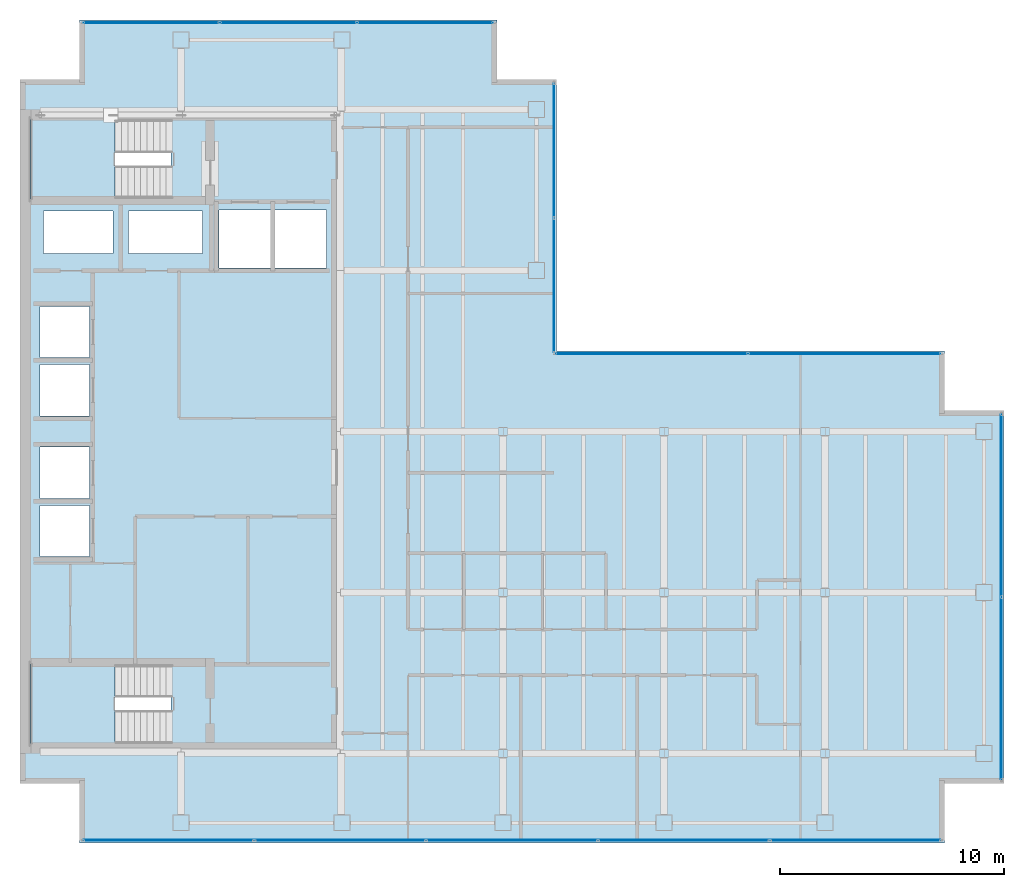
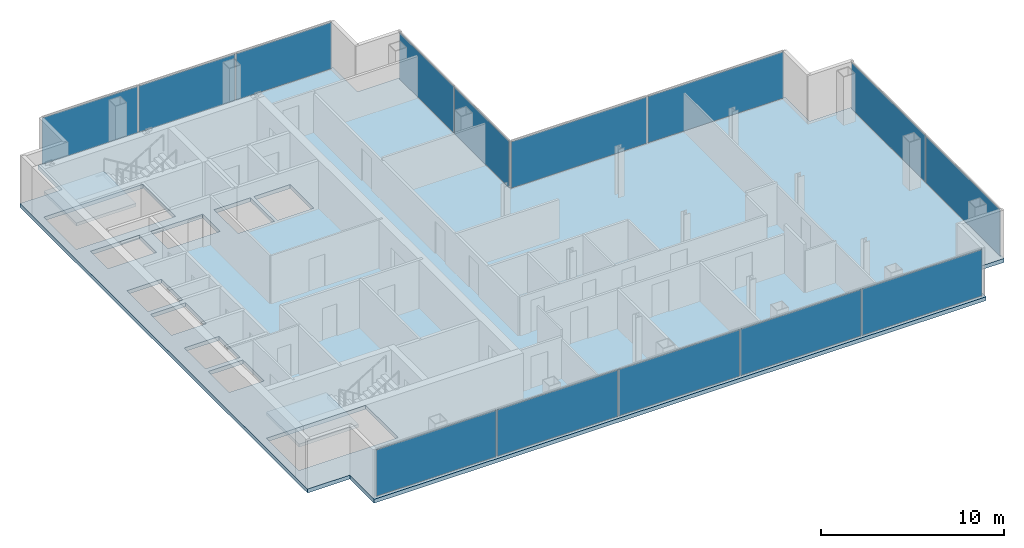
# One storey, part 19 of 23: 14 plates, 3 slabs, 10 openings, 7 elements without a shape of their own.
"""IFC4 building model written with IfcOpenShell, lengths in metres."""

from ifc_helpers import new_model, si_unit, direction, frame, origin, origin_2d, place, context, subcontext, project, spatial, polyline, rectangle, outline, extrude, material, layer, layer_set, type_object, element, aggregate, save


model = new_model("IFC4")

# Units and contexts
model_context = context("Model", 3, precision=1e-05, world=origin(), true_north=direction((0.0, 1.0)))
body_context = subcontext(model_context, "Body", "Model", "MODEL_VIEW")
ifc_project = project(units=[si_unit("LENGTHUNIT", "METRE"), si_unit("AREAUNIT", "SQUARE_METRE"), si_unit("VOLUMEUNIT", "CUBIC_METRE"), si_unit("PLANEANGLEUNIT", "RADIAN"), si_unit("MASSUNIT", "GRAM", prefix="KILO")], contexts=[model_context])

# Site, building, storey
site_placement = place(None, origin())
site = spatial("IfcSite", under=ifc_project, at=site_placement, CompositionType="ELEMENT")
building_placement = place(site_placement, origin())
building = spatial("IfcBuilding", under=site, at=building_placement, Name="Cobrela Telecom Tower", CompositionType="ELEMENT")
storey_placement = place(building_placement, frame((0.0, 0.0, 222.25)))
storey = spatial("IfcBuildingStorey", under=building, at=storey_placement, Name="L57", CompositionType="ELEMENT", Elevation=222.25)

# Curtain wall, plates
ifc_material_1 = material(Name="Anodized Bronze Aluminium 6063-T6", Category="aluminium")
curtain_wall_type = type_object("IfcCurtainWallType", Name="CW-SYS-OFF-LO", PredefinedType="USERDEFINED", material=ifc_material_1)
curtain_wall_1_placement = place(storey_placement, origin())
curtain_wall_1 = element("IfcCurtainWall", 1, at=curtain_wall_1_placement, inside=storey, type_object=curtain_wall_type, Name="L57 Unitised Bronze Curtain Wall 07", ObjectType="UNITISED CURTAIN WALL", PredefinedType="USERDEFINED")
ifc_material_2 = material(Name="Solar-Control Bronze Low-E Glass", Category="glass")
ifc_layer_1 = layer(ifc_material_2, 0.031982421875)
ifc_layer_set_1 = layer_set([ifc_layer_1], Name="Solar-Control Bronze Low-E Glass")
plate_type = type_object("IfcPlateType", Name="CW-SYS-OFF-LO-PNL", PredefinedType="CURTAIN_PANEL", material=ifc_layer_set_1)
plate_1_placement = place(storey_placement, frame((5.87744140625, 39.8798828125, 0.070068359375), z_axis=(0.0, 0.0, 1.0), x_axis=(1.0, 0.0, 0.0)))
plate_1 = element("IfcPlate", 2, at=plate_1_placement, type_object=plate_type, Name="CW-OFF-LO panel 1.1", PredefinedType="CURTAIN_PANEL", context=body_context, shape_type="SweptSolid", body=[
    extrude(rectangle(XDim=6.034912109375, YDim=0.031982421875, at=origin_2d()), origin(), (0.0, 0.0, 1.0), 3.10009765625),
])
plate_2_placement = place(storey_placement, frame((12.0, 39.8798828125, 0.070068359375), z_axis=(0.0, 0.0, 1.0), x_axis=(1.0, 0.0, 0.0)))
plate_2 = element("IfcPlate", 3, at=plate_2_placement, type_object=plate_type, Name="CW-OFF-LO panel 2.1", PredefinedType="CURTAIN_PANEL", context=body_context, shape_type="SweptSolid", body=[
    extrude(rectangle(XDim=6.070068359375, YDim=0.031982421875, at=origin_2d()), origin(), (0.0, 0.0, 1.0), 3.10009765625),
])
plate_3_placement = place(storey_placement, frame((18.12255859375, 39.8798828125, 0.070068359375), z_axis=(0.0, 0.0, 1.0), x_axis=(1.0, 0.0, 0.0)))
plate_3 = element("IfcPlate", 4, at=plate_3_placement, type_object=plate_type, Name="CW-OFF-LO panel 3.1", PredefinedType="CURTAIN_PANEL", context=body_context, shape_type="SweptSolid", body=[
    extrude(rectangle(XDim=6.034912109375, YDim=0.031982421875, at=origin_2d()), origin(), (0.0, 0.0, 1.0), 3.10009765625),
])
aggregate(curtain_wall_1, [plate_1, plate_2, plate_3])

curtain_wall_2_placement = place(storey_placement, origin())
curtain_wall_2 = element("IfcCurtainWall", 5, at=curtain_wall_2_placement, inside=storey, type_object=curtain_wall_type, Name="L57 Unitised Bronze Curtain Wall 10", ObjectType="UNITISED CURTAIN WALL", PredefinedType="USERDEFINED")
plate_4_placement = place(storey_placement, frame((23.8798828125, 34.159912109375, 0.070068359375), z_axis=(0.0, 0.0, 1.0), x_axis=(0.0, -1.0, 0.0)))
plate_4 = element("IfcPlate", 6, at=plate_4_placement, type_object=plate_type, Name="CW-OFF-LO panel 1.1", PredefinedType="CURTAIN_PANEL", context=body_context, shape_type="SweptSolid", body=[
    extrude(rectangle(XDim=5.9599609375, YDim=0.031982421875, at=origin_2d()), origin(), (0.0, 0.0, 1.0), 3.10009765625),
])
plate_5_placement = place(storey_placement, frame((23.8798828125, 28.1298828125, 0.070068359375), z_axis=(0.0, 0.0, 1.0), x_axis=(0.0, -1.0, 0.0)))
plate_5 = element("IfcPlate", 7, at=plate_5_placement, type_object=plate_type, Name="CW-OFF-LO panel 2.1", PredefinedType="CURTAIN_PANEL", context=body_context, shape_type="SweptSolid", body=[
    extrude(rectangle(XDim=5.9599609375, YDim=0.031982421875, at=origin_2d()), origin(), (0.0, 0.0, 1.0), 3.10009765625),
])
aggregate(curtain_wall_2, [plate_4, plate_5])

curtain_wall_3_placement = place(storey_placement, origin())
curtain_wall_3 = element("IfcCurtainWall", 8, at=curtain_wall_3_placement, inside=storey, type_object=curtain_wall_type, Name="L57 Unitised Bronze Curtain Wall 11", ObjectType="UNITISED CURTAIN WALL", PredefinedType="USERDEFINED")
plate_6_placement = place(storey_placement, frame((28.22998046875, 25.080078125, 0.070068359375), z_axis=(0.0, 0.0, 1.0), x_axis=(1.0, 0.0, 0.0)))
plate_6 = element("IfcPlate", 9, at=plate_6_placement, type_object=plate_type, Name="CW-OFF-LO panel 1.1", PredefinedType="CURTAIN_PANEL", context=body_context, shape_type="SweptSolid", body=[
    extrude(rectangle(XDim=8.56005859375, YDim=0.031982421875, at=origin_2d()), origin(), (0.0, 0.0, 1.0), 3.10009765625),
])
plate_7_placement = place(storey_placement, frame((36.860107421875, 25.080078125, 0.070068359375), z_axis=(0.0, 0.0, 1.0), x_axis=(1.0, 0.0, 0.0)))
plate_7 = element("IfcPlate", 10, at=plate_7_placement, type_object=plate_type, Name="CW-OFF-LO panel 2.1", PredefinedType="CURTAIN_PANEL", context=body_context, shape_type="SweptSolid", body=[
    extrude(rectangle(XDim=8.56005859375, YDim=0.031982421875, at=origin_2d()), origin(), (0.0, 0.0, 1.0), 3.10009765625),
])
aggregate(curtain_wall_3, [plate_6, plate_7])

curtain_wall_4_placement = place(storey_placement, origin())
curtain_wall_4 = element("IfcCurtainWall", 11, at=curtain_wall_4_placement, inside=storey, type_object=curtain_wall_type, Name="L57 Unitised Bronze Curtain Wall 14", ObjectType="UNITISED CURTAIN WALL", PredefinedType="USERDEFINED")
plate_8_placement = place(storey_placement, frame((43.8798828125, 18.28759765625, 0.070068359375), z_axis=(0.0, 0.0, 1.0), x_axis=(0.0, -1.0, 0.0)))
plate_8 = element("IfcPlate", 12, at=plate_8_placement, type_object=plate_type, Name="CW-OFF-LO panel 1.1", PredefinedType="CURTAIN_PANEL", context=body_context, shape_type="SweptSolid", body=[
    extrude(rectangle(XDim=8.10498046875, YDim=0.031982421875, at=origin_2d()), origin(), (0.0, 0.0, 1.0), 3.10009765625),
])
plate_9_placement = place(storey_placement, frame((43.8798828125, 10.112548828125, 0.070068359375), z_axis=(0.0, 0.0, 1.0), x_axis=(0.0, -1.0, 0.0)))
plate_9 = element("IfcPlate", 13, at=plate_9_placement, type_object=plate_type, Name="CW-OFF-LO panel 2.1", PredefinedType="CURTAIN_PANEL", context=body_context, shape_type="SweptSolid", body=[
    extrude(rectangle(XDim=8.10498046875, YDim=0.031982421875, at=origin_2d()), origin(), (0.0, 0.0, 1.0), 3.10009765625),
])
aggregate(curtain_wall_4, [plate_8, plate_9])

curtain_wall_5_placement = place(storey_placement, origin())
curtain_wall_5 = element("IfcCurtainWall", 14, at=curtain_wall_5_placement, inside=storey, type_object=curtain_wall_type, Name="L57 Unitised Bronze Curtain Wall 17", ObjectType="UNITISED CURTAIN WALL", PredefinedType="USERDEFINED")
plate_10_placement = place(storey_placement, frame((37.3505859375, 3.320068359375, 0.070068359375), z_axis=(0.0, 0.0, 1.0), x_axis=(-1.0, 0.0, 0.0)))
plate_10 = element("IfcPlate", 15, at=plate_10_placement, type_object=plate_type, Name="CW-OFF-LO panel 1.1", PredefinedType="CURTAIN_PANEL", context=body_context, shape_type="SweptSolid", body=[
    extrude(rectangle(XDim=7.5791015625, YDim=0.031982421875, at=origin_2d()), origin(), (0.0, 0.0, 1.0), 3.10009765625),
])
plate_11_placement = place(storey_placement, frame((29.68408203125, 3.320068359375, 0.070068359375), z_axis=(0.0, 0.0, 1.0), x_axis=(-1.0, 0.0, 0.0)))
plate_11 = element("IfcPlate", 16, at=plate_11_placement, type_object=plate_type, Name="CW-OFF-LO panel 2.1", PredefinedType="CURTAIN_PANEL", context=body_context, shape_type="SweptSolid", body=[
    extrude(rectangle(XDim=7.614013671875, YDim=0.031982421875, at=origin_2d()), origin(), (0.0, 0.0, 1.0), 3.10009765625),
])
plate_12_placement = place(storey_placement, frame((22.0, 3.320068359375, 0.070068359375), z_axis=(0.0, 0.0, 1.0), x_axis=(-1.0, 0.0, 0.0)))
plate_12 = element("IfcPlate", 17, at=plate_12_placement, type_object=plate_type, Name="CW-OFF-LO panel 3.1", PredefinedType="CURTAIN_PANEL", context=body_context, shape_type="SweptSolid", body=[
    extrude(rectangle(XDim=7.614013671875, YDim=0.031982421875, at=origin_2d()), origin(), (0.0, 0.0, 1.0), 3.10009765625),
])
plate_13_placement = place(storey_placement, frame((14.31591796875, 3.320068359375, 0.070068359375), z_axis=(0.0, 0.0, 1.0), x_axis=(-1.0, 0.0, 0.0)))
plate_13 = element("IfcPlate", 18, at=plate_13_placement, type_object=plate_type, Name="CW-OFF-LO panel 4.1", PredefinedType="CURTAIN_PANEL", context=body_context, shape_type="SweptSolid", body=[
    extrude(rectangle(XDim=7.614013671875, YDim=0.031982421875, at=origin_2d()), origin(), (0.0, 0.0, 1.0), 3.10009765625),
])
plate_14_placement = place(storey_placement, frame((6.6494140625, 3.320068359375, 0.070068359375), z_axis=(0.0, 0.0, 1.0), x_axis=(-1.0, 0.0, 0.0)))
plate_14 = element("IfcPlate", 19, at=plate_14_placement, type_object=plate_type, Name="CW-OFF-LO panel 5.1", PredefinedType="CURTAIN_PANEL", context=body_context, shape_type="SweptSolid", body=[
    extrude(rectangle(XDim=7.5791015625, YDim=0.031982421875, at=origin_2d()), origin(), (0.0, 0.0, 1.0), 3.10009765625),
])
aggregate(curtain_wall_5, [plate_10, plate_11, plate_12, plate_13, plate_14])

# Slab, openings
ifc_material_3 = material(Name="Concrete C40/50", Category="concrete")
ifc_layer_2 = layer(ifc_material_3, 0.260009765625)
ifc_layer_set_2 = layer_set([ifc_layer_2], Name="Concrete C40/50")
slab_type_1 = type_object("IfcSlabType", Name="SLAB-FLR-260", PredefinedType="FLOOR", material=ifc_layer_set_2)
slab_1_placement = place(storey_placement, frame((0.0, 0.0, -0.260009765625)))
slab_1 = element("IfcSlab", 20, at=slab_1_placement, inside=storey, type_object=slab_type_1, Name="L57 Structural Floor Slab", PredefinedType="FLOOR", context=body_context, shape_type="SweptSolid", body=[
    extrude(outline(polyline([(2.669921875, 3.199951171875), (41.330078125, 3.199951171875), (41.330078125, 5.8701171875), (44.0, 5.8701171875), (44.0, 22.530029296875), (41.330078125, 22.530029296875), (41.330078125, 25.199951171875), (24.0, 25.199951171875), (24.0, 37.330078125), (21.330078125, 37.330078125), (21.330078125, 40.0), (2.669921875, 40.0), (2.669921875, 37.330078125), (0.0, 37.330078125), (0.0, 5.8701171875), (2.669921875, 5.8701171875), (2.669921875, 3.199951171875)])), origin(), (0.0, 0.0, 1.0), 0.260009765625),
])
opening_1_placement = place(slab_1_placement, frame((0.0, 0.0, -0.02001953125)))
element("IfcOpeningElement", 21, at=opening_1_placement, cuts=slab_1, Name="Slab Shaft Opening SLAB-L57-MAIN.1", PredefinedType="OPENING", context=body_context, shape_type="SweptSolid", body=[
    extrude(outline(polyline([(8.89990234375, 28.89990234375), (11.199951171875, 28.89990234375), (11.199951171875, 31.5), (8.89990234375, 31.5), (8.89990234375, 28.89990234375)])), origin(), (0.0, 0.0, 1.0), 0.300048828125),
])
opening_2_placement = place(slab_1_placement, frame((0.0, 0.0, -0.02001953125)))
element("IfcOpeningElement", 22, at=opening_2_placement, cuts=slab_1, Name="Slab Shaft Opening SLAB-L57-MAIN.2", PredefinedType="OPENING", context=body_context, shape_type="SweptSolid", body=[
    extrude(outline(polyline([(11.39990234375, 28.89990234375), (13.699951171875, 28.89990234375), (13.699951171875, 31.5), (11.39990234375, 31.5), (11.39990234375, 28.89990234375)])), origin(), (0.0, 0.0, 1.0), 0.300048828125),
])
opening_3_placement = place(slab_1_placement, frame((0.0, 0.0, -0.02001953125)))
element("IfcOpeningElement", 23, at=opening_3_placement, cuts=slab_1, Name="Slab Shaft Opening SLAB-L57-MAIN.3", PredefinedType="OPENING", context=body_context, shape_type="SweptSolid", body=[
    extrude(outline(polyline([(0.89990234375, 16.0), (3.10009765625, 16.0), (3.10009765625, 18.300048828125), (0.89990234375, 18.300048828125), (0.89990234375, 16.0)])), origin(), (0.0, 0.0, 1.0), 0.300048828125),
])
opening_4_placement = place(slab_1_placement, frame((0.0, 0.0, -0.02001953125)))
element("IfcOpeningElement", 24, at=opening_4_placement, cuts=slab_1, Name="Slab Shaft Opening SLAB-L57-MAIN.4", PredefinedType="OPENING", context=body_context, shape_type="SweptSolid", body=[
    extrude(outline(polyline([(0.89990234375, 18.60009765625), (3.10009765625, 18.60009765625), (3.10009765625, 20.89990234375), (0.89990234375, 20.89990234375), (0.89990234375, 18.60009765625)])), origin(), (0.0, 0.0, 1.0), 0.300048828125),
])
opening_5_placement = place(slab_1_placement, frame((0.0, 0.0, -0.02001953125)))
element("IfcOpeningElement", 25, at=opening_5_placement, cuts=slab_1, Name="Slab Shaft Opening SLAB-L57-MAIN.5", PredefinedType="OPENING", context=body_context, shape_type="SweptSolid", body=[
    extrude(outline(polyline([(0.89990234375, 22.300048828125), (3.10009765625, 22.300048828125), (3.10009765625, 24.60009765625), (0.89990234375, 24.60009765625), (0.89990234375, 22.300048828125)])), origin(), (0.0, 0.0, 1.0), 0.300048828125),
])
opening_6_placement = place(slab_1_placement, frame((0.0, 0.0, -0.02001953125)))
element("IfcOpeningElement", 26, at=opening_6_placement, cuts=slab_1, Name="Slab Shaft Opening SLAB-L57-MAIN.6", PredefinedType="OPENING", context=body_context, shape_type="SweptSolid", body=[
    extrude(outline(polyline([(0.89990234375, 24.89990234375), (3.10009765625, 24.89990234375), (3.10009765625, 27.199951171875), (0.89990234375, 27.199951171875), (0.89990234375, 24.89990234375)])), origin(), (0.0, 0.0, 1.0), 0.300048828125),
])
opening_7_placement = place(slab_1_placement, frame((0.0, 0.0, -0.02001953125)))
element("IfcOpeningElement", 27, at=opening_7_placement, cuts=slab_1, Name="Slab Shaft Opening SLAB-L57-MAIN.7", PredefinedType="OPENING", context=body_context, shape_type="SweptSolid", body=[
    extrude(outline(polyline([(1.050048828125, 29.550048828125), (4.14990234375, 29.550048828125), (4.14990234375, 31.449951171875), (1.050048828125, 31.449951171875), (1.050048828125, 29.550048828125)])), origin(), (0.0, 0.0, 1.0), 0.300048828125),
])
opening_8_placement = place(slab_1_placement, frame((0.0, 0.0, -0.02001953125)))
element("IfcOpeningElement", 28, at=opening_8_placement, cuts=slab_1, Name="Slab Shaft Opening SLAB-L57-MAIN.8", PredefinedType="OPENING", context=body_context, shape_type="SweptSolid", body=[
    extrude(outline(polyline([(4.85009765625, 29.550048828125), (8.14990234375, 29.550048828125), (8.14990234375, 31.449951171875), (4.85009765625, 31.449951171875), (4.85009765625, 29.550048828125)])), origin(), (0.0, 0.0, 1.0), 0.300048828125),
])
opening_9_placement = place(slab_1_placement, frame((0.0, 0.0, -0.02001953125)))
element("IfcOpeningElement", 29, at=opening_9_placement, cuts=slab_1, Name="Slab Shaft Opening SLAB-L57-MAIN.9", PredefinedType="OPENING", context=body_context, shape_type="SweptSolid", body=[
    extrude(outline(polyline([(6.7548828125, 35.550048828125), (0.47998046875, 35.550048828125), (0.47998046875, 32.0), (6.7548828125, 32.0), (6.7548828125, 35.550048828125)])), origin(), (0.0, 0.0, 1.0), 0.300048828125),
])
opening_10_placement = place(slab_1_placement, frame((0.0, 0.0, -0.02001953125)))
element("IfcOpeningElement", 30, at=opening_10_placement, cuts=slab_1, Name="Slab Shaft Opening SLAB-L57-MAIN.10", PredefinedType="OPENING", context=body_context, shape_type="SweptSolid", body=[
    extrude(outline(polyline([(6.7548828125, 11.199951171875), (0.47998046875, 11.199951171875), (0.47998046875, 7.64990234375), (6.7548828125, 7.64990234375), (6.7548828125, 11.199951171875)])), origin(), (0.0, 0.0, 1.0), 0.300048828125),
])

# Stair, slab
stair_type = type_object("IfcStairType", Name="STAIR-CORE", PredefinedType="HALF_TURN_STAIR", material=ifc_material_3)
stair_1_placement = place(storey_placement, origin())
stair_1 = element("IfcStair", 31, at=stair_1_placement, inside=storey, type_object=stair_type, Name="L57 Smokeproof Exit Stair ST1", PredefinedType="HALF_TURN_STAIR")
ifc_layer_3 = layer(ifc_material_3, 0.199951171875)
ifc_layer_set_3 = layer_set([ifc_layer_3], Name="Concrete C40/50")
slab_type_2 = type_object("IfcSlabType", Name="SLAB-LAND-200", PredefinedType="LANDING", material=ifc_layer_set_3)
slab_2_placement = place(storey_placement, frame((0.0, 0.0, 1.550048828125)))
slab_2 = element("IfcSlab", 32, at=slab_2_placement, type_object=slab_type_2, Name="ST1 landing 1", PredefinedType="LANDING", context=body_context, shape_type="SweptSolid", body=[
    extrude(outline(polyline([(4.2548828125, 35.550048828125), (0.47998046875, 35.550048828125), (0.47998046875, 32.0), (4.2548828125, 32.0), (4.2548828125, 35.550048828125)])), origin(), (0.0, 0.0, 1.0), 0.199951171875),
])
aggregate(stair_1, [slab_2])

stair_2_placement = place(storey_placement, origin())
stair_2 = element("IfcStair", 33, at=stair_2_placement, inside=storey, type_object=stair_type, Name="L57 Smokeproof Exit Stair ST2", PredefinedType="HALF_TURN_STAIR")
slab_3_placement = place(storey_placement, frame((0.0, 0.0, 1.550048828125)))
slab_3 = element("IfcSlab", 34, at=slab_3_placement, type_object=slab_type_2, Name="ST2 landing 1", PredefinedType="LANDING", context=body_context, shape_type="SweptSolid", body=[
    extrude(outline(polyline([(4.2548828125, 11.199951171875), (0.47998046875, 11.199951171875), (0.47998046875, 7.64990234375), (4.2548828125, 7.64990234375), (4.2548828125, 11.199951171875)])), origin(), (0.0, 0.0, 1.0), 0.199951171875),
])
aggregate(stair_2, [slab_3])

save(model, "model.ifc")
